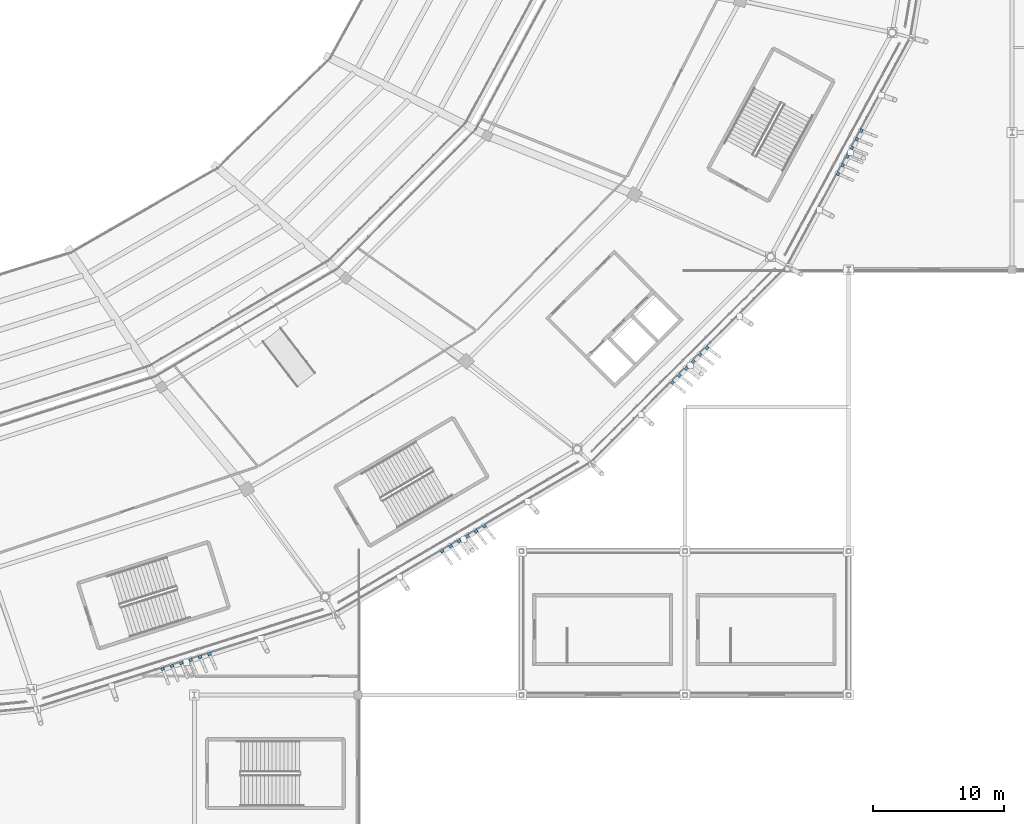
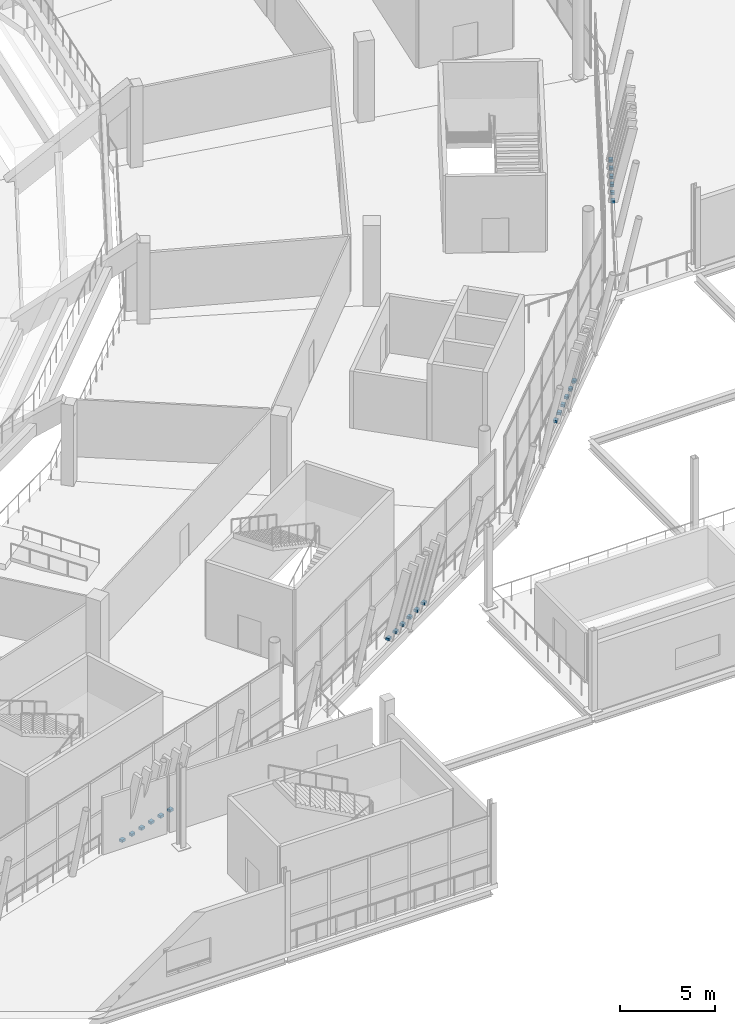
# One storey, part 140 of 178: 24 discrete accessories.
"""IFC4 building model written with IfcOpenShell, lengths in metres."""

from ifc_helpers import new_model, si_unit, direction, frame, origin, origin_2d, place, context, subcontext, project, spatial, rectangle, extrude, material, type_object, element, save


model = new_model("IFC4")

# Units and contexts
model_context = context("Model", 3, precision=1e-05, world=origin(), true_north=direction((0.0, 1.0)))
body_context = subcontext(model_context, "Body", "Model", "MODEL_VIEW")
ifc_project = project(units=[si_unit("LENGTHUNIT", "METRE"), si_unit("AREAUNIT", "SQUARE_METRE"), si_unit("VOLUMEUNIT", "CUBIC_METRE"), si_unit("PLANEANGLEUNIT", "RADIAN"), si_unit("MASSUNIT", "GRAM", prefix="KILO")], contexts=[model_context])

# Site, building, storey
site_placement = place(None, origin())
site = spatial("IfcSite", under=ifc_project, at=site_placement, CompositionType="ELEMENT")
building_placement = place(site_placement, origin())
building = spatial("IfcBuilding", under=site, at=building_placement, Name="Zlatoyarsky Gate Stadium", CompositionType="ELEMENT")
storey_placement = place(building_placement, frame((0.0, 0.0, 5.39990234375)))
storey = spatial("IfcBuildingStorey", under=building, at=storey_placement, Name="L01", CompositionType="ELEMENT", Elevation=5.39990234375)

# Discrete accessories
ifc_material = material(Name="Steel S355", Category="steel")
discrete_accessory_type = type_object("IfcDiscreteAccessoryType", Name="STEEL LOUVRE ANCHOR BRACKET 260X220X160", PredefinedType="BRACKET", material=ifc_material)
for number, where, z_axis, x_axis, name in (
    (1, (145.078125, 12.997802734375, -0.02001953125), (0.0, 0.0, 1.0), (0.95302679735, 0.302885990981, 0.0), "Louvre anchor bracket L01-19-1"),
    (2, (145.79296875, 13.224853515625, -0.02001953125), (0.0, 0.0, 1.0), (0.95302679735, 0.302885990981, 0.0), "Louvre anchor bracket L01-19-2"),
    (3, (146.5078125, 13.4521484375, -0.02001953125), (0.0, 0.0, 1.0), (0.95302679735, 0.302885990981, 0.0), "Louvre anchor bracket L01-19-3"),
    (4, (147.222412109375, 13.67919921875, -0.02001953125), (0.0, 0.0, 1.0), (0.95302679735, 0.302885990981, 0.0), "Louvre anchor bracket L01-19-4"),
    (5, (147.937255859375, 13.906494140625, -0.02001953125), (0.0, 0.0, 1.0), (0.95302679735, 0.302885990981, 0.0), "Louvre anchor bracket L01-19-5"),
    (6, (148.652099609375, 14.133544921875, -0.02001953125), (0.0, 0.0, 1.0), (0.95302679735, 0.302885990981, 0.0), "Louvre anchor bracket L01-19-6"),
    (7, (166.437255859375, 22.000244140625, -0.02001953125), (0.0, 0.0, 1.0), (0.861742129764, 0.507346530282, 0.0), "Louvre anchor bracket L01-20-1"),
    (8, (167.08349609375, 22.380859375, -0.02001953125), (0.0, 0.0, 1.0), (0.861742129764, 0.507346530282, 0.0), "Louvre anchor bracket L01-20-2"),
    (9, (167.729736328125, 22.76123046875, -0.02001953125), (0.0, 0.0, 1.0), (0.861742129764, 0.507346530282, 0.0), "Louvre anchor bracket L01-20-3"),
    (10, (168.376220703125, 23.141845703125, -0.02001953125), (0.0, 0.0, 1.0), (0.861742129764, 0.507346530282, 0.0), "Louvre anchor bracket L01-20-4"),
    (11, (169.0224609375, 23.522216796875, -0.02001953125), (0.0, 0.0, 1.0), (0.861742129764, 0.507346530282, 0.0), "Louvre anchor bracket L01-20-5"),
    (12, (169.668701171875, 23.90283203125, -0.02001953125), (0.0, 0.0, 1.0), (0.861742129764, 0.507346530282, 0.0), "Louvre anchor bracket L01-20-6"),
    (13, (184.027099609375, 34.8994140625, -0.02001953125), (0.0, 0.0, 1.0), (0.70713737745, 0.707076183599, 0.0), "Louvre anchor bracket L01-21-1"),
    (14, (184.557373046875, 35.4296875, -0.02001953125), (0.0, 0.0, 1.0), (0.70713737745, 0.707076183599, 0.0), "Louvre anchor bracket L01-21-2"),
    (15, (185.087646484375, 35.9599609375, -0.02001953125), (0.0, 0.0, 1.0), (0.70713737745, 0.707076183599, 0.0), "Louvre anchor bracket L01-21-3"),
    (16, (185.6181640625, 36.490234375, -0.02001953125), (0.0, 0.0, 1.0), (0.70713737745, 0.707076183599, 0.0), "Louvre anchor bracket L01-21-4"),
    (17, (186.1484375, 37.0205078125, -0.02001953125), (0.0, 0.0, 1.0), (0.70713737745, 0.707076183599, 0.0), "Louvre anchor bracket L01-21-5"),
    (18, (186.6787109375, 37.55078125, -0.02001953125), (0.0, 0.0, 1.0), (0.70713737745, 0.707076183599, 0.0), "Louvre anchor bracket L01-21-6"),
    (19, (196.695068359375, 50.83203125, -0.02001953125), (0.0, 0.0, 1.0), (0.475049594903, 0.879959023127, 0.0), "Louvre anchor bracket L01-22-1"),
    (20, (197.051513671875, 51.491943359375, -0.02001953125), (0.0, 0.0, 1.0), (0.475049594903, 0.879959023127, 0.0), "Louvre anchor bracket L01-22-2"),
    (21, (197.40771484375, 52.152099609375, -0.02001953125), (0.0, 0.0, 1.0), (0.475049594903, 0.879959023127, 0.0), "Louvre anchor bracket L01-22-3"),
    (22, (197.763916015625, 52.81201171875, -0.02001953125), (0.0, 0.0, 1.0), (0.475049594903, 0.879959023127, 0.0), "Louvre anchor bracket L01-22-4"),
    (23, (198.1201171875, 53.471923828125, -0.02001953125), (0.0, 0.0, 1.0), (0.475049594903, 0.879959023127, 0.0), "Louvre anchor bracket L01-22-5"),
    (24, (198.4765625, 54.1318359375, -0.02001953125), (0.0, 0.0, 1.0), (0.475049594903, 0.879959023127, 0.0), "Louvre anchor bracket L01-22-6"),
):
    element("IfcDiscreteAccessory", number, at=place(storey_placement, frame(where, z_axis=z_axis, x_axis=x_axis)), inside=storey, type_object=discrete_accessory_type, Name=name, PredefinedType="BRACKET", context=body_context, shape_type="SweptSolid", body=[
        extrude(rectangle(XDim=0.260009765625, YDim=0.219970703125, at=origin_2d()), origin(), (0.0, 0.0, 1.0), 0.159912109375),
    ])

save(model, "model.ifc")
